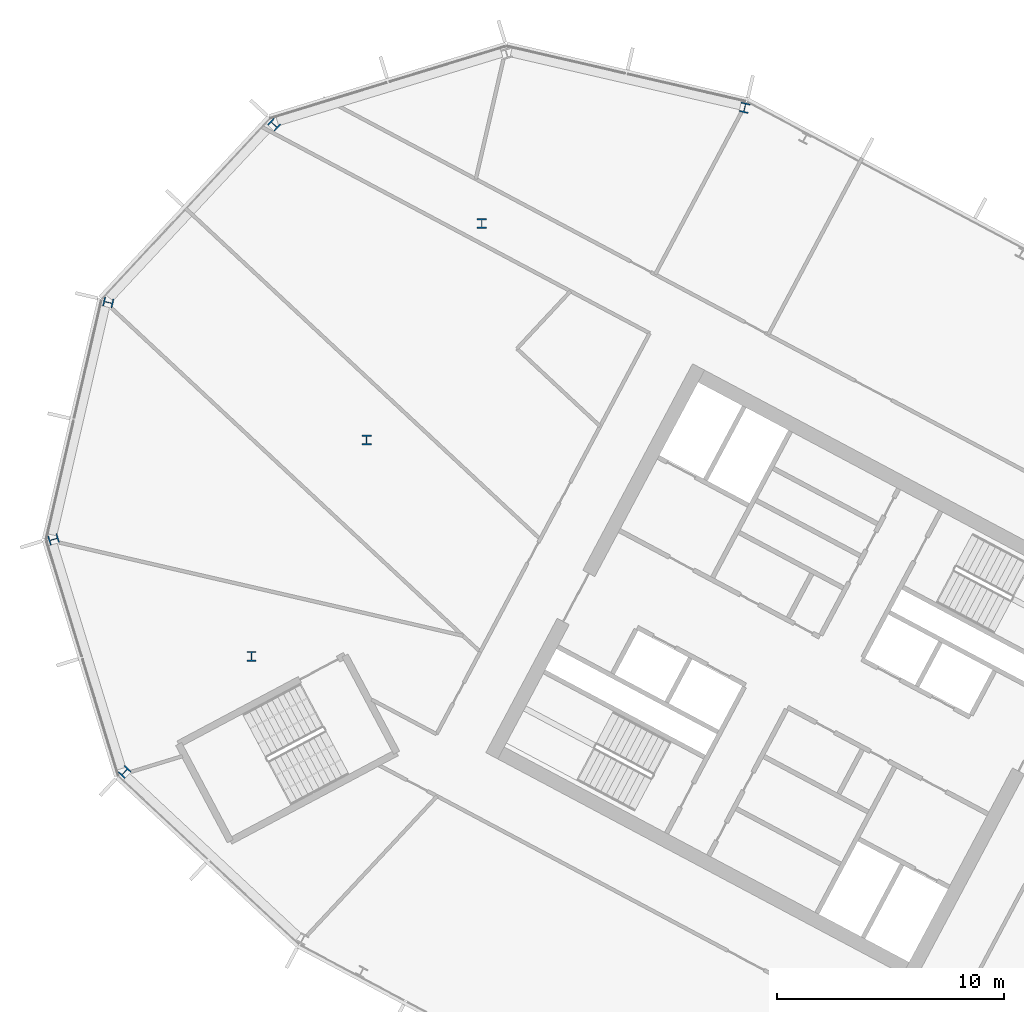
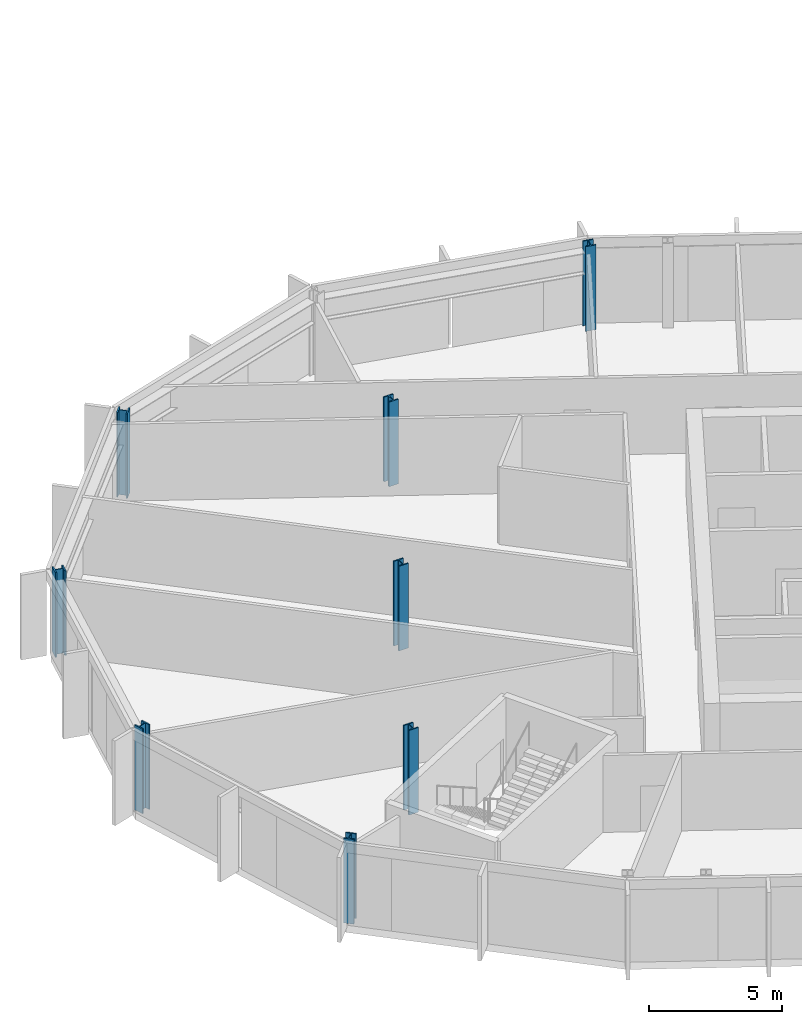
# One storey, part 3 of 26: 8 columns.
"""IFC4 building model written with IfcOpenShell, lengths in metres."""

from ifc_helpers import new_model, si_unit, direction, frame, origin, origin_2d, place, context, subcontext, project, spatial, i_section, extrude, material, material_profile, profile_set, type_object, element, save


model = new_model("IFC4")

# Units and contexts
model_context = context("Model", 3, precision=1e-05, world=origin(), true_north=direction((0.0, 1.0)))
body_context = subcontext(model_context, "Body", "Model", "MODEL_VIEW")
ifc_project = project(units=[si_unit("LENGTHUNIT", "METRE"), si_unit("AREAUNIT", "SQUARE_METRE"), si_unit("VOLUMEUNIT", "CUBIC_METRE"), si_unit("PLANEANGLEUNIT", "RADIAN"), si_unit("MASSUNIT", "GRAM", prefix="KILO")], contexts=[model_context])

# Site, building, storey
site_placement = place(None, origin())
site = spatial("IfcSite", under=ifc_project, at=site_placement, CompositionType="ELEMENT")
building_placement = place(site_placement, origin())
building = spatial("IfcBuilding", under=site, at=building_placement, Name="Cormorant Relay Tower", CompositionType="ELEMENT")
storey_placement = place(building_placement, frame((0.0, 0.0, 193.5)))
storey = spatial("IfcBuildingStorey", under=building, at=storey_placement, Name="L41", CompositionType="ELEMENT", Elevation=193.5)

# Columns
ifc_material = material(Name="Steel ASTM A992 (Fy 345 MPa)", Category="steel")
ifc_material_profile = material_profile(ifc_material, i_section(OverallWidth=0.41162109375, OverallDepth=0.434326171875, WebThickness=0.035888671875, FlangeThickness=0.057373046875, FilletRadius=0.01513671875, at=origin_2d()), Name="W360x463")
ifc_profile_set = profile_set([ifc_material_profile], Name="Steel ASTM A992 (Fy 345 MPa)")
column_type = type_object("IfcColumnType", Name="Column W360x463", PredefinedType="COLUMN", material=ifc_profile_set)
for number, where, z_axis, x_axis, name in (
    (1, (-57.279052734375, 10.162109375, 0.0), (0.0, 0.0, 1.0), (0.731353701619, -0.681998360062, 0.0), "Column L41-022"),
    (2, (-51.68994140625, 15.251953125, 0.0), (0.0, 0.0, 1.0), (1.0, 0.0, 0.0), "Column L41-027"),
    (3, (-60.409912109375, 20.404052734375, 0.0), (0.0, 0.0, 1.0), (0.292371704723, -0.956304755963, 0.0), "Column L41-028"),
    (4, (-46.6201171875, 24.7880859375, 0.0), (0.0, 0.0, 1.0), (1.0, 0.0, 0.0), "Column L41-031"),
    (5, (-58.0009765625, 30.840087890625, 0.0), (0.0, 0.0, 1.0), (-0.224951054344, -0.974370064785, 0.0), "Column L41-034"),
    (6, (-41.549072265625, 34.323974609375, 0.0), (0.0, 0.0, 1.0), (1.0, 0.0, 0.0), "Column L41-038"),
    (7, (-50.697021484375, 38.672119140625, 0.0), (0.0, 0.0, 1.0), (-0.681998360062, -0.731353701619, 0.0), "Column L41-042"),
    (8, (-29.968017578125, 39.4150390625, 0.0), (0.0, 0.0, 1.0), (-0.974370064785, 0.224951054344, 0.0), "Column L41-044"),
):
    element("IfcColumn", number, at=place(storey_placement, frame(where, z_axis=z_axis, x_axis=x_axis)), inside=storey, type_object=column_type, Name=name, PredefinedType="COLUMN", context=body_context, shape_type="SweptSolid", body=[
        extrude(i_section(OverallWidth=0.41162109375, OverallDepth=0.434326171875, WebThickness=0.035888671875, FlangeThickness=0.057373046875, FilletRadius=0.01513671875, at=origin_2d()), origin(), (0.0, 0.0, 1.0), 3.89990234375),
    ])

save(model, "model.ifc")
